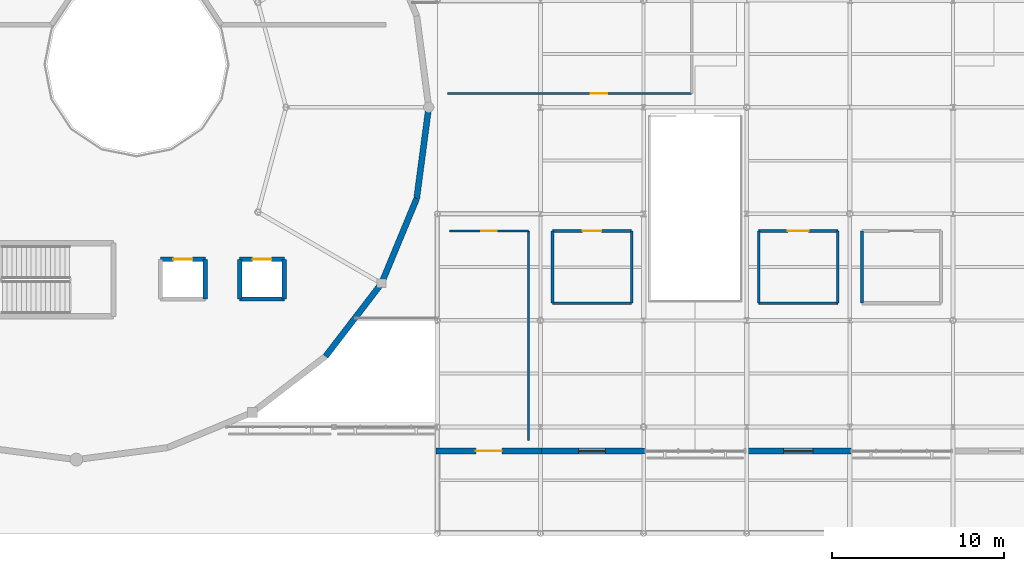
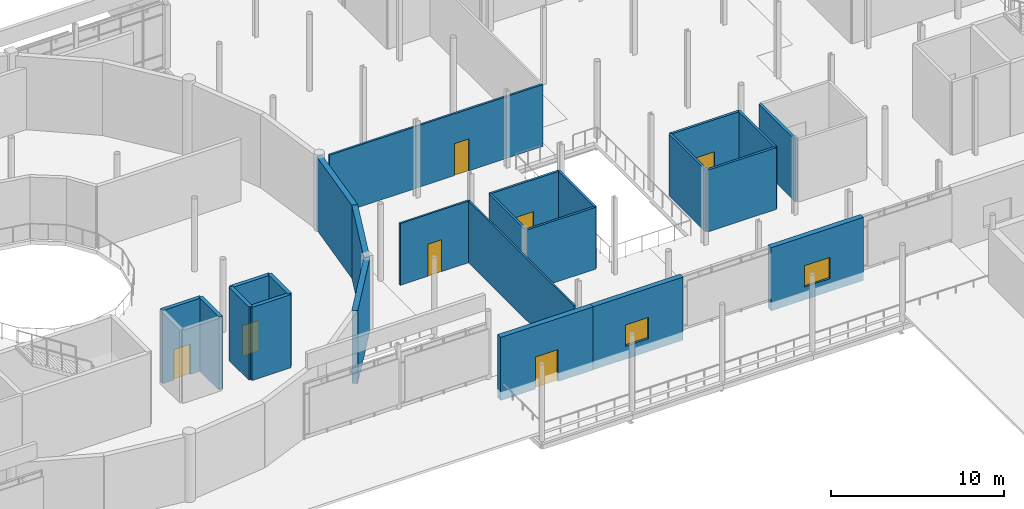
# One storey, part 68 of 105: 24 walls, 7 doors, 2 windows, 9 openings.
"""IFC4 building model written with IfcOpenShell, lengths in metres."""

from ifc_helpers import new_model, si_unit, direction, frame, frame_2d, origin, place, context, subcontext, project, spatial, rectangle, extrude, material, layer, layer_set, type_object, element, fill, save


model = new_model("IFC4")

# Units and contexts
model_context = context("Model", 3, precision=1e-05, world=origin(), true_north=direction((0.0, 1.0)))
body_context = subcontext(model_context, "Body", "Model", "MODEL_VIEW")
ifc_project = project(units=[si_unit("LENGTHUNIT", "METRE"), si_unit("AREAUNIT", "SQUARE_METRE"), si_unit("VOLUMEUNIT", "CUBIC_METRE"), si_unit("PLANEANGLEUNIT", "RADIAN"), si_unit("MASSUNIT", "GRAM", prefix="KILO")], contexts=[model_context])

# Site, building, storey
site_placement = place(None, origin())
site = spatial("IfcSite", under=ifc_project, at=site_placement, CompositionType="ELEMENT")
building_placement = place(site_placement, origin())
building = spatial("IfcBuilding", under=site, at=building_placement, Name="Mirzam Square Science Centre", CompositionType="ELEMENT")
storey_placement = place(building_placement, frame((0.0, 0.0, 5.39990234375)))
storey = spatial("IfcBuildingStorey", under=building, at=storey_placement, Name="L01", CompositionType="ELEMENT", Elevation=5.39990234375)

# Walls
ifc_material_1 = material(Name="Concrete C45/55", Category="concrete")
ifc_layer_1 = layer(ifc_material_1, 0.35009765625)
ifc_layer_set_1 = layer_set([ifc_layer_1], Name="W-DRUM-350")
wall_type_1 = type_object("IfcWallType", Name="W-DRUM-350", PredefinedType="SHEAR", material=ifc_layer_set_1)
for number, where, z_axis, x_axis, name in (
    (1, (95.49560546875, 47.50439453125, 0.0), (0.0, 0.0, 1.0), (0.60876670321, 0.793349293227, 0.0), "L01 planetarium drum wall 22"),
    (2, (98.75341796875, 51.75, 0.0), (0.0, 0.0, 1.0), (0.382713071139, 0.923867255172, 0.0), "L01 planetarium drum wall 23"),
):
    element("IfcWall", number, at=place(storey_placement, frame(where, z_axis=z_axis, x_axis=x_axis)), inside=storey, type_object=wall_type_1, Name=name, PredefinedType="SHEAR", context=body_context, shape_type="SweptSolid", body=[
        extrude(rectangle(XDim=5.3515625, YDim=0.35009765625, at=frame_2d((2.67578125, 0.0))), origin(), (0.0, 0.0, 1.0), 5.150146484375),
    ])
wall_1_placement = place(storey_placement, frame((100.801513671875, 56.694091796875, 0.0), z_axis=(0.0, 0.0, 1.0), x_axis=(0.130517056518, 0.991446064069, 0.0)))
element("IfcWall", 3, at=wall_1_placement, inside=storey, type_object=wall_type_1, Name="L01 planetarium drum wall 24", PredefinedType="SHEAR", context=body_context, shape_type="SweptSolid", body=[
    extrude(rectangle(XDim=5.351806640625, YDim=0.35009765625, at=frame_2d((2.67578125, 0.0))), origin(), (0.0, 0.0, 1.0), 5.150146484375),
])

# Wall, opening, window
ifc_material_2 = material(Name="Insulated Sand-Toned GFRC Concrete C40/50", Category="concrete")
ifc_layer_2 = layer(ifc_material_2, 0.340087890625)
ifc_layer_set_2 = layer_set([ifc_layer_2], Name="W-EXT-GFRC-340")
wall_type_2 = type_object("IfcWallType", Name="W-EXT-GFRC-340", PredefinedType="SOLIDWALL", material=ifc_layer_set_2)
wall_2_placement = place(storey_placement, frame((107.925048828125, 42.0, 0.0), z_axis=(0.0, 0.0, 1.0), x_axis=(1.0, 0.0, 0.0)))
wall_2 = element("IfcWall", 4, at=wall_2_placement, inside=storey, type_object=wall_type_2, Name="L01 external wall EW-EST-S-L01-02", PredefinedType="SOLIDWALL", context=body_context, shape_type="SweptSolid", body=[
    extrude(rectangle(XDim=6.14990234375, YDim=0.340087890625, at=frame_2d((3.074951171875, 0.0))), origin(), (0.0, 0.0, 1.0), 4.440185546875),
])
opening_1_placement = place(wall_2_placement, frame((2.300048828125, 0.0, 0.89990234375)))
opening_1 = element("IfcOpeningElement", 5, at=opening_1_placement, cuts=wall_2, Name="Opening W-15", PredefinedType="OPENING", context=body_context, shape_type="SweptSolid", body=[
    extrude(rectangle(XDim=1.550048828125, YDim=1.5, at=frame_2d((0.77490234375, 0.75))), frame((0.0, 0.179931640625, 0.0), z_axis=(0.0, -1.0, 0.0), x_axis=(1.0, 0.0, 0.0)), (0.0, 0.0, 1.0), 0.360107421875),
])
ifc_material_3 = material(Name="Thermally Broken Bronze Aluminium and Low-E Glass", Category="aluminium")
window_type_1 = type_object("IfcWindowType", Name="WIN-1550x1500", PartitioningType="SINGLE_PANEL", PredefinedType="WINDOW", material=ifc_material_3)
window_1_placement = place(opening_1_placement, origin())
window_1 = element("IfcWindow", 6, at=window_1_placement, inside=storey, type_object=window_type_1, Name="L01 solar window 059", OverallHeight=1.5, OverallWidth=1.550048828125, PartitioningType="SINGLE_PANEL", PredefinedType="WINDOW", context=body_context, shape_type="SweptSolid", body=[
    extrude(rectangle(XDim=1.550048828125, YDim=1.5, at=frame_2d((0.77490234375, 0.75))), frame((0.0, 0.030029296875, 0.0), z_axis=(0.0, -1.0, 0.0), x_axis=(1.0, 0.0, 0.0)), (0.0, 0.0, 1.0), 0.06005859375),
])
fill(opening_1, window_1)

wall_3_placement = place(storey_placement, frame((119.925048828125, 42.0, 0.0), z_axis=(0.0, 0.0, 1.0), x_axis=(1.0, 0.0, 0.0)))
wall_3 = element("IfcWall", 7, at=wall_3_placement, inside=storey, type_object=wall_type_2, Name="L01 external wall EW-EST-S-L01-04", PredefinedType="SOLIDWALL", context=body_context, shape_type="SweptSolid", body=[
    extrude(rectangle(XDim=6.14990234375, YDim=0.340087890625, at=frame_2d((3.074951171875, 0.0))), origin(), (0.0, 0.0, 1.0), 4.440185546875),
])
opening_2_placement = place(wall_3_placement, frame((2.22509765625, 0.0, 0.89990234375)))
opening_2 = element("IfcOpeningElement", 8, at=opening_2_placement, cuts=wall_3, Name="Opening W-16", PredefinedType="OPENING", context=body_context, shape_type="SweptSolid", body=[
    extrude(rectangle(XDim=1.699951171875, YDim=1.5, at=frame_2d((0.85009765625, 0.75))), frame((0.0, 0.179931640625, 0.0), z_axis=(0.0, -1.0, 0.0), x_axis=(1.0, 0.0, 0.0)), (0.0, 0.0, 1.0), 0.360107421875),
])
window_type_2 = type_object("IfcWindowType", Name="WIN-1700x1500", PartitioningType="SINGLE_PANEL", PredefinedType="WINDOW", material=ifc_material_3)
window_2_placement = place(opening_2_placement, origin())
window_2 = element("IfcWindow", 9, at=window_2_placement, inside=storey, type_object=window_type_2, Name="L01 solar window 060", OverallHeight=1.5, OverallWidth=1.699951171875, PartitioningType="SINGLE_PANEL", PredefinedType="WINDOW", context=body_context, shape_type="SweptSolid", body=[
    extrude(rectangle(XDim=1.699951171875, YDim=1.5, at=frame_2d((0.85009765625, 0.75))), frame((0.0, 0.030029296875, 0.0), z_axis=(0.0, -1.0, 0.0), x_axis=(1.0, 0.0, 0.0)), (0.0, 0.0, 1.0), 0.06005859375),
])
fill(opening_2, window_2)

# Wall, opening, door
ifc_layer_3 = layer(ifc_material_2, 0.35498046875)
ifc_layer_set_3 = layer_set([ifc_layer_3], Name="W-EXT-GFRC-355")
wall_type_3 = type_object("IfcWallType", Name="W-EXT-GFRC-355", PredefinedType="SOLIDWALL", material=ifc_layer_set_3)
wall_4_placement = place(storey_placement, frame((101.925048828125, 42.0, 0.0), z_axis=(0.0, 0.0, 1.0), x_axis=(1.0, 0.0, 0.0)))
wall_4 = element("IfcWall", 10, at=wall_4_placement, inside=storey, type_object=wall_type_3, Name="L01 external wall EW-EST-S-L01-01", PredefinedType="SOLIDWALL", context=body_context, shape_type="SweptSolid", body=[
    extrude(rectangle(XDim=6.14990234375, YDim=0.35498046875, at=frame_2d((3.074951171875, 0.0))), origin(), (0.0, 0.0, 1.0), 4.440185546875),
])
opening_3_placement = place(wall_4_placement, frame((2.324951171875, 0.0, 0.0)))
opening_3 = element("IfcOpeningElement", 11, at=opening_3_placement, cuts=wall_4, Name="Opening TD-02", PredefinedType="OPENING", context=body_context, shape_type="SweptSolid", body=[
    extrude(rectangle(XDim=1.5, YDim=2.25, at=frame_2d((0.75, 1.125))), frame((0.0, 0.1875, 0.0), z_axis=(0.0, -1.0, 0.0), x_axis=(1.0, 0.0, 0.0)), (0.0, 0.0, 1.0), 0.375),
])
ifc_material_4 = material(Name="Thermally Broken Bronze-Anodised Aluminium and Laminated Glass", Category="aluminium")
door_type_1 = type_object("IfcDoorType", Name="DR-TERR-1500x2250", OperationType="DOUBLE_DOOR_SINGLE_SWING", PredefinedType="DOOR", material=ifc_material_4)
door_1_placement = place(opening_3_placement, frame((1.5, 0.0, 0.0), z_axis=(0.0, 0.0, 1.0), x_axis=(-1.0, 0.0, 0.0)))
door_1 = element("IfcDoor", 12, at=door_1_placement, inside=storey, type_object=door_type_1, Name="ED-L01-022", OperationType="DOUBLE_DOOR_SINGLE_SWING", OverallHeight=2.25, OverallWidth=1.5, PredefinedType="DOOR", context=body_context, shape_type="SweptSolid", body=[
    extrude(rectangle(XDim=1.5, YDim=2.25, at=frame_2d((0.75, 1.125))), frame((0.0, 0.02490234375, 0.0), z_axis=(0.0, -1.0, 0.0), x_axis=(1.0, 0.0, 0.0)), (0.0, 0.0, 1.0), 0.050048828125),
])
fill(opening_3, door_1)

ifc_material_5 = material(Name="Acoustic Gypsum Stud Partition", Category="gypsum")
ifc_layer_4 = layer(ifc_material_5, 0.1201171875)
ifc_layer_set_4 = layer_set([ifc_layer_4], Name="W-PART-120")
wall_type_4 = type_object("IfcWallType", Name="W-PART-120", PredefinedType="PARTITIONING", material=ifc_layer_set_4)
wall_5_placement = place(storey_placement, frame((102.699951171875, 54.800048828125, 0.0), z_axis=(0.0, 0.0, 1.0), x_axis=(1.0, 0.0, 0.0)))
wall_5 = element("IfcWall", 13, at=wall_5_placement, inside=storey, type_object=wall_type_4, Name="L01 School Electronics Workshop 3 partition 134", PredefinedType="PARTITIONING", context=body_context, shape_type="SweptSolid", body=[
    extrude(rectangle(XDim=4.60009765625, YDim=0.1201171875, at=frame_2d((2.300048828125, 0.0))), origin(), (0.0, 0.0, 1.0), 4.35009765625),
])
opening_4_placement = place(wall_5_placement, frame((1.85009765625, 0.0, 0.0)))
opening_4 = element("IfcOpeningElement", 14, at=opening_4_placement, cuts=wall_5, Name="Opening D-13", PredefinedType="OPENING", context=body_context, shape_type="SweptSolid", body=[
    extrude(rectangle(XDim=0.89990234375, YDim=2.25, at=frame_2d((0.449951171875, 1.125))), frame((0.0, 0.070068359375, 0.0), z_axis=(0.0, -1.0, 0.0), x_axis=(1.0, 0.0, 0.0)), (0.0, 0.0, 1.0), 0.14013671875),
])
ifc_material_6 = material(Name="Solid Core Acoustic Oak Timber Door", Category="wood")
door_type_2 = type_object("IfcDoorType", Name="DR-INT-900x2250", OperationType="NOTDEFINED", PredefinedType="DOOR", material=ifc_material_6)
door_2_placement = place(opening_4_placement, origin())
door_2 = element("IfcDoor", 15, at=door_2_placement, inside=storey, type_object=door_type_2, Name="ID-L01-0036", OperationType="SINGLE_SWING_LEFT", OverallHeight=2.25, OverallWidth=0.89990234375, PredefinedType="DOOR", context=body_context, shape_type="SweptSolid", body=[
    extrude(rectangle(XDim=0.89990234375, YDim=2.25, at=frame_2d((0.449951171875, 1.125))), frame((0.0, 0.02490234375, 0.0), z_axis=(0.0, -1.0, 0.0), x_axis=(1.0, 0.0, 0.0)), (0.0, 0.0, 1.0), 0.050048828125),
])
fill(opening_4, door_2)

# Wall
wall_6_placement = place(storey_placement, frame((107.300048828125, 54.800048828125, 0.0), z_axis=(0.0, 0.0, 1.0), x_axis=(0.0, -1.0, 0.0)))
element("IfcWall", 16, at=wall_6_placement, inside=storey, type_object=wall_type_4, Name="L01 School Electronics Workshop 3 partition 135", PredefinedType="PARTITIONING", context=body_context, shape_type="SweptSolid", body=[
    extrude(rectangle(XDim=12.199951171875, YDim=0.1201171875, at=frame_2d((6.10009765625, 0.0))), origin(), (0.0, 0.0, 1.0), 4.35009765625),
])

# Wall, opening, door
ifc_material_7 = material(Name="Double-Board Gypsum Partition", Category="gypsum")
ifc_layer_5 = layer(ifc_material_7, 0.135009765625)
ifc_layer_set_5 = layer_set([ifc_layer_5], Name="W-PART-135")
wall_type_5 = type_object("IfcWallType", Name="W-PART-135", PredefinedType="PARTITIONING", material=ifc_layer_set_5)
wall_7_placement = place(storey_placement, frame((116.800048828125, 62.800048828125, 0.0), z_axis=(0.0, 0.0, 1.0), x_axis=(-1.0, 0.0, 0.0)))
wall_7 = element("IfcWall", 17, at=wall_7_placement, inside=storey, type_object=wall_type_5, Name="L01 School Environmental Science Workshop 4 partition 136", PredefinedType="PARTITIONING", context=body_context, shape_type="SweptSolid", body=[
    extrude(rectangle(XDim=14.199951171875, YDim=0.135009765625, at=frame_2d((7.10009765625, 0.0))), origin(), (0.0, 0.0, 1.0), 4.35009765625),
])
opening_5_placement = place(wall_7_placement, frame((4.9208984375, 0.0, 0.0)))
opening_5 = element("IfcOpeningElement", 18, at=opening_5_placement, cuts=wall_7, Name="Opening D-14", PredefinedType="OPENING", context=body_context, shape_type="SweptSolid", body=[
    extrude(rectangle(XDim=0.949951171875, YDim=2.25, at=frame_2d((0.47509765625, 1.125))), frame((0.0, 0.077392578125, 0.0), z_axis=(0.0, -1.0, 0.0), x_axis=(1.0, 0.0, 0.0)), (0.0, 0.0, 1.0), 0.155029296875),
])
door_type_3 = type_object("IfcDoorType", Name="DR-INT-950x2250", OperationType="NOTDEFINED", PredefinedType="DOOR", material=ifc_material_6)
door_3_placement = place(opening_5_placement, origin())
door_3 = element("IfcDoor", 19, at=door_3_placement, inside=storey, type_object=door_type_3, Name="ID-L01-0037", OperationType="SINGLE_SWING_RIGHT", OverallHeight=2.25, OverallWidth=0.949951171875, PredefinedType="DOOR", context=body_context, shape_type="SweptSolid", body=[
    extrude(rectangle(XDim=0.949951171875, YDim=2.25, at=frame_2d((0.47509765625, 1.125))), frame((0.0, 0.02490234375, 0.0), z_axis=(0.0, -1.0, 0.0), x_axis=(1.0, 0.0, 0.0)), (0.0, 0.0, 1.0), 0.050048828125),
])
fill(opening_5, door_3)

ifc_material_8 = material(Name="Laboratory Acoustic Partition", Category="gypsum")
ifc_layer_6 = layer(ifc_material_8, 0.14990234375)
ifc_layer_set_6 = layer_set([ifc_layer_6], Name="W-PART-150")
wall_type_6 = type_object("IfcWallType", Name="W-PART-150", PredefinedType="PARTITIONING", material=ifc_layer_set_6)
wall_8_placement = place(storey_placement, frame((108.699951171875, 54.800048828125, 0.0), z_axis=(0.0, 0.0, 1.0), x_axis=(1.0, 0.0, 0.0)))
wall_8 = element("IfcWall", 20, at=wall_8_placement, inside=storey, type_object=wall_type_6, Name="L01 Male WC L01 partition 102", PredefinedType="PARTITIONING", context=body_context, shape_type="SweptSolid", body=[
    extrude(rectangle(XDim=4.60009765625, YDim=0.14990234375, at=frame_2d((2.300048828125, 0.0))), origin(), (0.0, 0.0, 1.0), 4.35009765625),
])
opening_6_placement = place(wall_8_placement, frame((1.75, 0.0, 0.0)))
opening_6 = element("IfcOpeningElement", 21, at=opening_6_placement, cuts=wall_8, Name="Opening D-05", PredefinedType="OPENING", context=body_context, shape_type="SweptSolid", body=[
    extrude(rectangle(XDim=1.10009765625, YDim=2.10009765625, at=frame_2d((0.550048828125, 1.050048828125))), frame((0.0, 0.0849609375, 0.0), z_axis=(0.0, -1.0, 0.0), x_axis=(1.0, 0.0, 0.0)), (0.0, 0.0, 1.0), 0.169921875),
])
door_type_4 = type_object("IfcDoorType", Name="DR-INT-1100x2100", OperationType="NOTDEFINED", PredefinedType="DOOR", material=ifc_material_6)
door_4_placement = place(opening_6_placement, origin())
door_4 = element("IfcDoor", 22, at=door_4_placement, inside=storey, type_object=door_type_4, Name="ID-L01-0028", OperationType="SINGLE_SWING_LEFT", OverallHeight=2.10009765625, OverallWidth=1.10009765625, PredefinedType="DOOR", context=body_context, shape_type="SweptSolid", body=[
    extrude(rectangle(XDim=1.10009765625, YDim=2.10009765625, at=frame_2d((0.550048828125, 1.050048828125))), frame((0.0, 0.02490234375, 0.0), z_axis=(0.0, -1.0, 0.0), x_axis=(1.0, 0.0, 0.0)), (0.0, 0.0, 1.0), 0.050048828125),
])
fill(opening_6, door_4)

# Walls
wall_9_placement = place(storey_placement, frame((113.300048828125, 54.800048828125, 0.0), z_axis=(0.0, 0.0, 1.0), x_axis=(0.0, -1.0, 0.0)))
element("IfcWall", 23, at=wall_9_placement, inside=storey, type_object=wall_type_6, Name="L01 Male WC L01 partition 103", PredefinedType="PARTITIONING", context=body_context, shape_type="SweptSolid", body=[
    extrude(rectangle(XDim=4.199951171875, YDim=0.14990234375, at=frame_2d((2.10009765625, 0.0))), origin(), (0.0, 0.0, 1.0), 4.35009765625),
])
wall_10_placement = place(storey_placement, frame((113.300048828125, 50.60009765625, 0.0), z_axis=(0.0, 0.0, 1.0), x_axis=(-1.0, 0.0, 0.0)))
element("IfcWall", 24, at=wall_10_placement, inside=storey, type_object=wall_type_6, Name="L01 Male WC L01 partition 104", PredefinedType="PARTITIONING", context=body_context, shape_type="SweptSolid", body=[
    extrude(rectangle(XDim=4.60009765625, YDim=0.14990234375, at=frame_2d((2.300048828125, 0.0))), origin(), (0.0, 0.0, 1.0), 4.35009765625),
])
wall_11_placement = place(storey_placement, frame((108.699951171875, 50.60009765625, 0.0), z_axis=(0.0, 0.0, 1.0), x_axis=(0.0, 1.0, 0.0)))
element("IfcWall", 25, at=wall_11_placement, inside=storey, type_object=wall_type_6, Name="L01 Male WC L01 partition 105", PredefinedType="PARTITIONING", context=body_context, shape_type="SweptSolid", body=[
    extrude(rectangle(XDim=4.199951171875, YDim=0.14990234375, at=frame_2d((2.10009765625, 0.0))), origin(), (0.0, 0.0, 1.0), 4.35009765625),
])

# Wall, opening, door
ifc_material_9 = material(Name="Wet-Area Moisture-Resistant Partition", Category="gypsum")
ifc_layer_7 = layer(ifc_material_9, 0.1650390625)
ifc_layer_set_7 = layer_set([ifc_layer_7], Name="W-PART-165")
wall_type_7 = type_object("IfcWallType", Name="W-PART-165", PredefinedType="PARTITIONING", material=ifc_layer_set_7)
wall_12_placement = place(storey_placement, frame((120.699951171875, 54.800048828125, 0.0), z_axis=(0.0, 0.0, 1.0), x_axis=(1.0, 0.0, 0.0)))
wall_12 = element("IfcWall", 26, at=wall_12_placement, inside=storey, type_object=wall_type_7, Name="L01 Female WC L01 partition 106", PredefinedType="PARTITIONING", context=body_context, shape_type="SweptSolid", body=[
    extrude(rectangle(XDim=4.60009765625, YDim=0.1650390625, at=frame_2d((2.300048828125, 0.0))), origin(), (0.0, 0.0, 1.0), 4.35009765625),
])
opening_7_placement = place(wall_12_placement, frame((1.699951171875, 0.0, 0.0)))
opening_7 = element("IfcOpeningElement", 27, at=opening_7_placement, cuts=wall_12, Name="Opening D-06", PredefinedType="OPENING", context=body_context, shape_type="SweptSolid", body=[
    extrude(rectangle(XDim=1.199951171875, YDim=2.10009765625, at=frame_2d((0.60009765625, 1.050048828125))), frame((0.0, 0.092529296875, 0.0), z_axis=(0.0, -1.0, 0.0), x_axis=(1.0, 0.0, 0.0)), (0.0, 0.0, 1.0), 0.18505859375),
])
door_type_5 = type_object("IfcDoorType", Name="DR-INT-1200x2100", OperationType="NOTDEFINED", PredefinedType="DOOR", material=ifc_material_6)
door_5_placement = place(opening_7_placement, origin())
door_5 = element("IfcDoor", 28, at=door_5_placement, inside=storey, type_object=door_type_5, Name="ID-L01-0029", OperationType="SINGLE_SWING_RIGHT", OverallHeight=2.10009765625, OverallWidth=1.199951171875, PredefinedType="DOOR", context=body_context, shape_type="SweptSolid", body=[
    extrude(rectangle(XDim=1.199951171875, YDim=2.10009765625, at=frame_2d((0.60009765625, 1.050048828125))), frame((0.0, 0.02490234375, 0.0), z_axis=(0.0, -1.0, 0.0), x_axis=(1.0, 0.0, 0.0)), (0.0, 0.0, 1.0), 0.050048828125),
])
fill(opening_7, door_5)

# Walls
wall_13_placement = place(storey_placement, frame((125.300048828125, 54.800048828125, 0.0), z_axis=(0.0, 0.0, 1.0), x_axis=(0.0, -1.0, 0.0)))
element("IfcWall", 29, at=wall_13_placement, inside=storey, type_object=wall_type_7, Name="L01 Female WC L01 partition 107", PredefinedType="PARTITIONING", context=body_context, shape_type="SweptSolid", body=[
    extrude(rectangle(XDim=4.199951171875, YDim=0.1650390625, at=frame_2d((2.10009765625, 0.0))), origin(), (0.0, 0.0, 1.0), 4.35009765625),
])
wall_14_placement = place(storey_placement, frame((125.300048828125, 50.60009765625, 0.0), z_axis=(0.0, 0.0, 1.0), x_axis=(-1.0, 0.0, 0.0)))
element("IfcWall", 30, at=wall_14_placement, inside=storey, type_object=wall_type_7, Name="L01 Female WC L01 partition 108", PredefinedType="PARTITIONING", context=body_context, shape_type="SweptSolid", body=[
    extrude(rectangle(XDim=4.60009765625, YDim=0.1650390625, at=frame_2d((2.300048828125, 0.0))), origin(), (0.0, 0.0, 1.0), 4.35009765625),
])
wall_15_placement = place(storey_placement, frame((120.699951171875, 50.60009765625, 0.0), z_axis=(0.0, 0.0, 1.0), x_axis=(0.0, 1.0, 0.0)))
element("IfcWall", 31, at=wall_15_placement, inside=storey, type_object=wall_type_7, Name="L01 Female WC L01 partition 109", PredefinedType="PARTITIONING", context=body_context, shape_type="SweptSolid", body=[
    extrude(rectangle(XDim=4.199951171875, YDim=0.1650390625, at=frame_2d((2.10009765625, 0.0))), origin(), (0.0, 0.0, 1.0), 4.35009765625),
])
ifc_material_10 = material(Name="Workshop Acoustic Masonry Partition", Category="masonry")
ifc_layer_8 = layer(ifc_material_10, 0.179931640625)
ifc_layer_set_8 = layer_set([ifc_layer_8], Name="W-PART-180")
wall_type_8 = type_object("IfcWallType", Name="W-PART-180", PredefinedType="PARTITIONING", material=ifc_layer_set_8)
wall_16_placement = place(storey_placement, frame((126.699951171875, 50.60009765625, 0.0), z_axis=(0.0, 0.0, 1.0), x_axis=(0.0, 1.0, 0.0)))
element("IfcWall", 32, at=wall_16_placement, inside=storey, type_object=wall_type_8, Name="L01 Accessible WC L01 partition 113", PredefinedType="PARTITIONING", context=body_context, shape_type="SweptSolid", body=[
    extrude(rectangle(XDim=4.199951171875, YDim=0.179931640625, at=frame_2d((2.10009765625, 0.0))), origin(), (0.0, 0.0, 1.0), 4.35009765625),
])

# Wall, opening, door
ifc_layer_9 = layer(ifc_material_1, 0.25)
ifc_layer_set_9 = layer_set([ifc_layer_9], Name="W-SHAFT-250")
wall_type_9 = type_object("IfcWallType", Name="W-SHAFT-250", PredefinedType="SHEAR", material=ifc_layer_set_9)
wall_17_placement = place(storey_placement, frame((88.5, 53.14990234375, 0.0), z_axis=(0.0, 0.0, 1.0), x_axis=(-1.0, 0.0, 0.0)))
wall_17 = element("IfcWall", 33, at=wall_17_placement, inside=storey, type_object=wall_type_9, Name="L01 lift LP-01 shaft wall N", PredefinedType="SHEAR", context=body_context, shape_type="SweptSolid", body=[
    extrude(rectangle(XDim=2.60009765625, YDim=0.25, at=frame_2d((1.300048828125, 0.0))), origin(), (0.0, 0.0, 1.0), 5.150146484375),
])
opening_8_placement = place(wall_17_placement, frame((0.75, 0.0, 0.0)))
opening_8 = element("IfcOpeningElement", 34, at=opening_8_placement, cuts=wall_17, Name="Opening LD-01", PredefinedType="OPENING", context=body_context, shape_type="SweptSolid", body=[
    extrude(rectangle(XDim=1.10009765625, YDim=2.14990234375, at=frame_2d((0.550048828125, 1.074951171875))), frame((0.0, 0.135009765625, 0.0), z_axis=(0.0, -1.0, 0.0), x_axis=(1.0, 0.0, 0.0)), (0.0, 0.0, 1.0), 0.27001953125),
])
ifc_material_11 = material(Name="Brushed Stainless Steel 316L Sliding Lift Door", Category="steel")
door_type_6 = type_object("IfcDoorType", Name="LD-PASS-1100x2150", OperationType="DOUBLE_DOOR_SLIDING", PredefinedType="DOOR", material=ifc_material_11)
door_6_placement = place(opening_8_placement, origin())
door_6 = element("IfcDoor", 35, at=door_6_placement, inside=storey, type_object=door_type_6, Name="LD-LP-01-L01", OperationType="DOUBLE_DOOR_SLIDING", OverallHeight=2.14990234375, OverallWidth=1.10009765625, PredefinedType="DOOR", context=body_context, shape_type="SweptSolid", body=[
    extrude(rectangle(XDim=1.10009765625, YDim=2.14990234375, at=frame_2d((0.550048828125, 1.074951171875))), frame((0.0, 0.02490234375, 0.0), z_axis=(0.0, -1.0, 0.0), x_axis=(1.0, 0.0, 0.0)), (0.0, 0.0, 1.0), 0.050048828125),
])
fill(opening_8, door_6)

# Walls
wall_18_placement = place(storey_placement, frame((88.5, 50.85009765625, 0.0), z_axis=(0.0, 0.0, 1.0), x_axis=(0.0, 1.0, 0.0)))
element("IfcWall", 36, at=wall_18_placement, inside=storey, type_object=wall_type_9, Name="L01 lift LP-01 shaft wall E", PredefinedType="SHEAR", context=body_context, shape_type="SweptSolid", body=[
    extrude(rectangle(XDim=2.2998046875, YDim=0.25, at=frame_2d((1.14990234375, 0.0))), origin(), (0.0, 0.0, 1.0), 5.150146484375),
])
wall_19_placement = place(storey_placement, frame((90.5, 50.85009765625, 0.0), z_axis=(0.0, 0.0, 1.0), x_axis=(1.0, 0.0, 0.0)))
element("IfcWall", 37, at=wall_19_placement, inside=storey, type_object=wall_type_9, Name="L01 lift LP-02 shaft wall S", PredefinedType="SHEAR", context=body_context, shape_type="SweptSolid", body=[
    extrude(rectangle(XDim=2.60009765625, YDim=0.25, at=frame_2d((1.300048828125, 0.0))), origin(), (0.0, 0.0, 1.0), 5.150146484375),
])

# Wall, opening, door
wall_20_placement = place(storey_placement, frame((93.10009765625, 53.14990234375, 0.0), z_axis=(0.0, 0.0, 1.0), x_axis=(-1.0, 0.0, 0.0)))
wall_20 = element("IfcWall", 38, at=wall_20_placement, inside=storey, type_object=wall_type_9, Name="L01 lift LP-02 shaft wall N", PredefinedType="SHEAR", context=body_context, shape_type="SweptSolid", body=[
    extrude(rectangle(XDim=2.60009765625, YDim=0.25, at=frame_2d((1.300048828125, 0.0))), origin(), (0.0, 0.0, 1.0), 5.150146484375),
])
opening_9_placement = place(wall_20_placement, frame((0.75, 0.0, 0.0)))
opening_9 = element("IfcOpeningElement", 39, at=opening_9_placement, cuts=wall_20, Name="Opening LD-01", PredefinedType="OPENING", context=body_context, shape_type="SweptSolid", body=[
    extrude(rectangle(XDim=1.10009765625, YDim=2.14990234375, at=frame_2d((0.550048828125, 1.074951171875))), frame((0.0, 0.135009765625, 0.0), z_axis=(0.0, -1.0, 0.0), x_axis=(1.0, 0.0, 0.0)), (0.0, 0.0, 1.0), 0.27001953125),
])
door_7_placement = place(opening_9_placement, origin())
door_7 = element("IfcDoor", 40, at=door_7_placement, inside=storey, type_object=door_type_6, Name="LD-LP-02-L01", OperationType="DOUBLE_DOOR_SLIDING", OverallHeight=2.14990234375, OverallWidth=1.10009765625, PredefinedType="DOOR", context=body_context, shape_type="SweptSolid", body=[
    extrude(rectangle(XDim=1.10009765625, YDim=2.14990234375, at=frame_2d((0.550048828125, 1.074951171875))), frame((0.0, 0.02490234375, 0.0), z_axis=(0.0, -1.0, 0.0), x_axis=(1.0, 0.0, 0.0)), (0.0, 0.0, 1.0), 0.050048828125),
])
fill(opening_9, door_7)

# Walls
for number, where, z_axis, x_axis, name in (
    (41, (90.5, 53.14990234375, 0.0), (0.0, 0.0, 1.0), (0.0, -1.0, 0.0), "L01 lift LP-02 shaft wall W"),
    (42, (93.10009765625, 50.85009765625, 0.0), (0.0, 0.0, 1.0), (0.0, 1.0, 0.0), "L01 lift LP-02 shaft wall E"),
):
    element("IfcWall", number, at=place(storey_placement, frame(where, z_axis=z_axis, x_axis=x_axis)), inside=storey, type_object=wall_type_9, Name=name, PredefinedType="SHEAR", context=body_context, shape_type="SweptSolid", body=[
        extrude(rectangle(XDim=2.2998046875, YDim=0.25, at=frame_2d((1.14990234375, 0.0))), origin(), (0.0, 0.0, 1.0), 5.150146484375),
    ])

save(model, "model.ifc")
